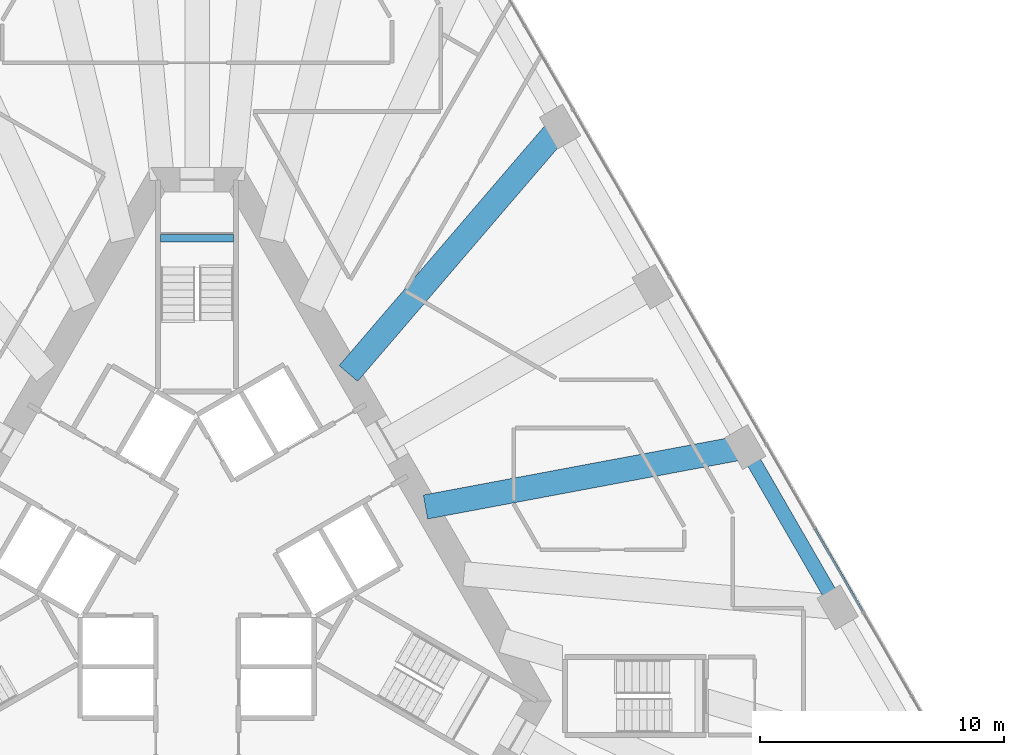
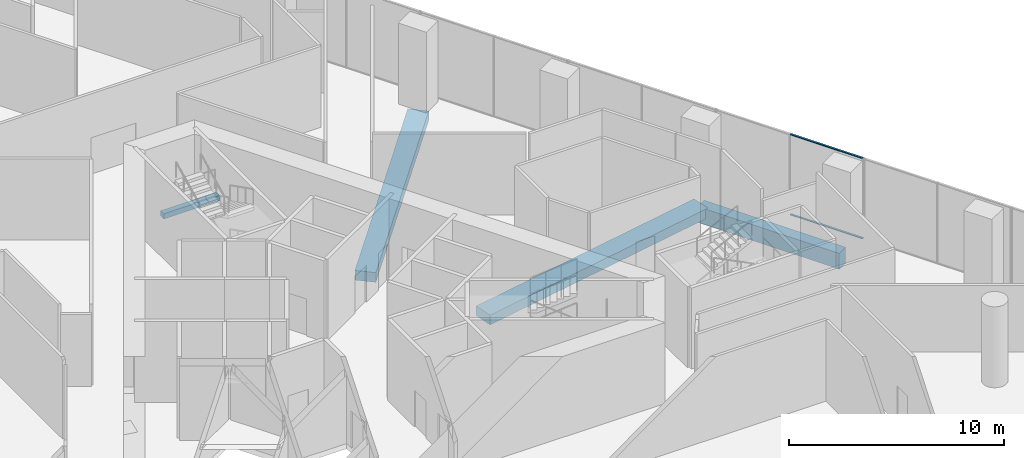
# One storey, part 14 of 32: 4 beams, 2 members, 1 element without a shape of its own.
"""IFC4 building model written with IfcOpenShell, lengths in metres."""

from ifc_helpers import new_model, si_unit, direction, frame, origin, origin_2d, place, context, subcontext, project, spatial, rectangle, extrude, material, layer, layer_set, material_profile, profile_set, type_object, element, aggregate, save


model = new_model("IFC4")

# Units and contexts
model_context = context("Model", 3, precision=1e-05, world=origin(), true_north=direction((0.0, 1.0)))
body_context = subcontext(model_context, "Body", "Model", "MODEL_VIEW")
ifc_project = project(units=[si_unit("LENGTHUNIT", "METRE"), si_unit("AREAUNIT", "SQUARE_METRE"), si_unit("VOLUMEUNIT", "CUBIC_METRE"), si_unit("PLANEANGLEUNIT", "RADIAN"), si_unit("MASSUNIT", "GRAM", prefix="KILO")], contexts=[model_context])

# Site, building, storey
site_placement = place(None, origin())
site = spatial("IfcSite", under=ifc_project, at=site_placement, CompositionType="ELEMENT")
building_placement = place(site_placement, origin())
building = spatial("IfcBuilding", under=site, at=building_placement, Name="Triada Interchange Tower", CompositionType="ELEMENT")
storey_placement = place(building_placement, frame((0.0, 0.0, 25.300048828125)))
storey = spatial("IfcBuildingStorey", under=building, at=storey_placement, Name="L04", CompositionType="ELEMENT", Elevation=25.300048828125)

# Beams
ifc_material_1 = material(Name="Concrete C35/45", Category="concrete")
ifc_material_profile_1 = material_profile(ifc_material_1, rectangle(XDim=0.300048828125, YDim=0.300048828125, at=origin_2d()), Name="RC 300x300")
ifc_profile_set_1 = profile_set([ifc_material_profile_1], Name="Concrete C35/45")
beam_type_1 = type_object("IfcBeamType", Name="Landing support beam RC 300x300", PredefinedType="BEAM", material=ifc_profile_set_1)
beam_1_placement = place(storey_placement, frame((1.5, 12.800048828125, 2.14990234375), z_axis=(-1.0, 0.0, 0.0), x_axis=(0.0, -1.0, 0.0)))
element("IfcBeam", 1, at=beam_1_placement, inside=storey, type_object=beam_type_1, Name="Landing support beam S04-1 1", PredefinedType="BEAM", context=body_context, shape_type="SweptSolid", body=[
    extrude(rectangle(XDim=0.300048828125, YDim=0.300048828125, at=origin_2d()), origin(), (0.0, 0.0, 1.0), 3.0),
])
ifc_material_2 = material(Name="Concrete C50/60", Category="concrete")
ifc_material_profile_2 = material_profile(ifc_material_2, rectangle(XDim=1.0, YDim=0.550048828125, at=origin_2d()), Name="RC 1000x550")
ifc_profile_set_2 = profile_set([ifc_material_profile_2], Name="Concrete C50/60")
beam_type_2 = type_object("IfcBeamType", Name="Radial band beam P RC 1000x550", PredefinedType="BEAM", material=ifc_profile_set_2)
for number, where, z_axis, x_axis, name in (
    (2, (22.506103515625, 4.218994140625, -0.675048828125), (-0.982880256044, -0.184245494596, 0.0), (0.184245494596, -0.982880256044, 0.0), "Radial band beam BP24 L04"),
    (3, (14.906005859375, 17.381103515625, -0.675048828125), (-0.650979511823, -0.759095300464, 0.0), (0.759095300464, -0.650979511823, 0.0), "Radial band beam BP26 L04"),
):
    element("IfcBeam", number, at=place(storey_placement, frame(where, z_axis=z_axis, x_axis=x_axis)), inside=storey, type_object=beam_type_2, Name=name, PredefinedType="BEAM", context=body_context, shape_type="SweptSolid", body=[
        extrude(rectangle(XDim=1.0, YDim=0.550048828125, at=origin_2d()), origin(), (0.0, 0.0, 1.0), 13.35693359375),
    ])
ifc_material_profile_3 = material_profile(ifc_material_2, rectangle(XDim=0.60009765625, YDim=0.89990234375, at=origin_2d()), Name="RC 600x900")
ifc_profile_set_3 = profile_set([ifc_material_profile_3], Name="Concrete C50/60")
beam_type_3 = type_object("IfcBeamType", Name="Spandrel beam P RC 600x900", PredefinedType="BEAM", material=ifc_profile_set_3)
beam_2_placement = place(storey_placement, frame((26.305908203125, -2.363037109375, -0.85009765625), z_axis=(-0.499967155389, 0.866044365799, 0.0), x_axis=(-0.866044365799, -0.499967155389, 0.0)))
element("IfcBeam", 4, at=beam_2_placement, inside=storey, type_object=beam_type_3, Name="Spandrel beam EP23 L04", PredefinedType="BEAM", context=body_context, shape_type="SweptSolid", body=[
    extrude(rectangle(XDim=0.60009765625, YDim=0.89990234375, at=origin_2d()), origin(), (0.0, 0.0, 1.0), 7.60009765625),
])

# Curtain wall, members
ifc_material_3 = material(Name="Aluminium framed glazing", Category="aluminium")
ifc_layer = layer(ifc_material_3, 0.199951171875)
ifc_layer_set = layer_set([ifc_layer], Name="Curtain wall Winter garden glazing")
curtain_wall_type = type_object("IfcCurtainWallType", Name="Curtain wall Winter garden glazing", PredefinedType="NOTDEFINED", material=ifc_layer_set)
curtain_wall_placement = place(storey_placement, origin())
curtain_wall = element("IfcCurtainWall", 5, at=curtain_wall_placement, inside=storey, type_object=curtain_wall_type, Name="Winter garden glazing CW014 L04", PredefinedType="NOTDEFINED")
ifc_material_4 = material(Name="Aluminium", Category="aluminium")
ifc_material_profile_4 = material_profile(ifc_material_4, rectangle(XDim=0.10009765625, YDim=0.050048828125, at=origin_2d()), Name="Aluminium transom")
ifc_profile_set_4 = profile_set([ifc_material_profile_4], Name="Aluminium")
member_type = type_object("IfcMemberType", Name="Transom Winter garden glazing 100x50", PredefinedType="USERDEFINED", material=ifc_profile_set_4)
member_1_placement = place(storey_placement, frame((27.31689453125, -2.5146484375, 0.02490234375), z_axis=(-0.499903441657, 0.866081144593, 0.0), x_axis=(-0.866081144593, -0.499903441657, 0.0)))
member_1 = element("IfcMember", 6, at=member_1_placement, type_object=member_type, Name="CW014 transom 1.1", ObjectType="TRANSOM", PredefinedType="USERDEFINED", context=body_context, shape_type="SweptSolid", body=[
    extrude(rectangle(XDim=0.10009765625, YDim=0.050048828125, at=origin_2d()), origin(), (0.0, 0.0, 1.0), 3.892333984375),
])
member_2_placement = place(storey_placement, frame((27.31689453125, -2.5146484375, 4.574951171875), z_axis=(-0.499903441657, 0.866081144593, 0.0), x_axis=(-0.866081144593, -0.499903441657, 0.0)))
member_2 = element("IfcMember", 7, at=member_2_placement, type_object=member_type, Name="CW014 transom 1.2", ObjectType="TRANSOM", PredefinedType="USERDEFINED", context=body_context, shape_type="SweptSolid", body=[
    extrude(rectangle(XDim=0.10009765625, YDim=0.050048828125, at=origin_2d()), origin(), (0.0, 0.0, 1.0), 3.892333984375),
])
aggregate(curtain_wall, [member_1, member_2])

save(model, "model.ifc")
